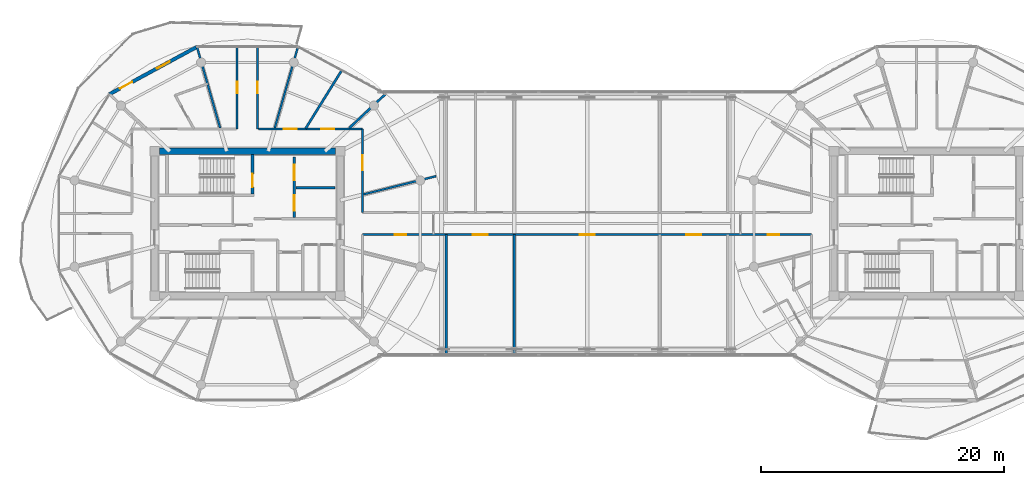
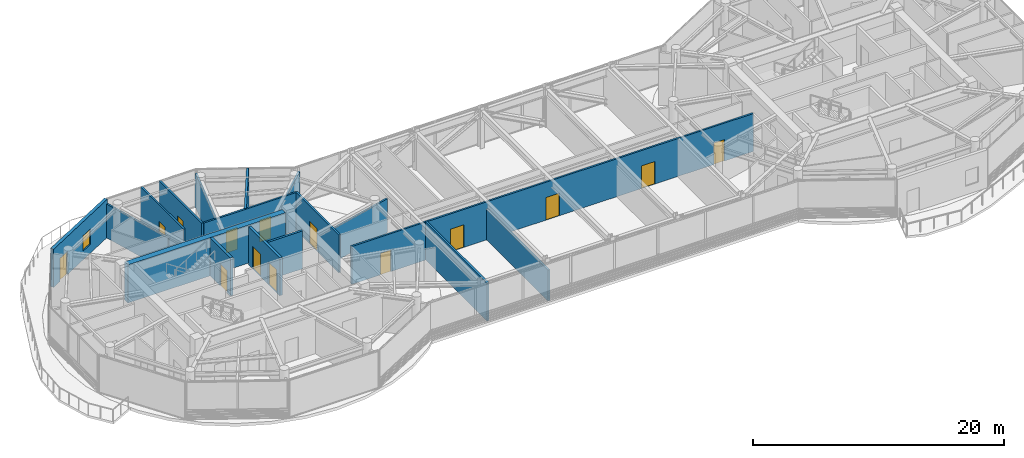
# One storey, part 15 of 24: 17 walls, 14 doors, 1 window, 15 openings.
"""IFC4 building model written with IfcOpenShell, lengths in metres."""

from ifc_helpers import new_model, si_unit, direction, frame, frame_2d, origin, place, context, subcontext, project, spatial, rectangle, extrude, source, transform, mapped, material, layer, layer_set, type_object, type_shapes, element, fill, save


model = new_model("IFC4")

# Units and contexts
model_context = context("Model", 3, precision=1e-05, world=origin(), true_north=direction((0.0, 1.0)))
body_context = subcontext(model_context, "Body", "Model", "MODEL_VIEW")
ifc_project = project(units=[si_unit("LENGTHUNIT", "METRE"), si_unit("AREAUNIT", "SQUARE_METRE"), si_unit("VOLUMEUNIT", "CUBIC_METRE"), si_unit("PLANEANGLEUNIT", "RADIAN"), si_unit("MASSUNIT", "GRAM", prefix="KILO")], contexts=[model_context])

# Site, building, storey
site_placement = place(None, origin())
site = spatial("IfcSite", under=ifc_project, at=site_placement, CompositionType="ELEMENT")
building_placement = place(site_placement, origin())
building = spatial("IfcBuilding", under=site, at=building_placement, Name="Norrkilde Senior Care Towers", CompositionType="ELEMENT")
storey_placement = place(building_placement, frame((0.0, 0.0, 203.800048828125)))
storey = spatial("IfcBuildingStorey", under=building, at=storey_placement, Name="L63", CompositionType="ELEMENT", Elevation=203.800048828125)

# Wall
ifc_material_1 = material(Name="Concrete C50/60", Category="concrete")
ifc_layer_1 = layer(ifc_material_1, 0.52001953125)
ifc_layer_set_1 = layer_set([ifc_layer_1], Name="Concrete C50/60")
wall_type_1 = type_object("IfcWallType", Name="Core Shear Wall Z4 520", PredefinedType="SHEAR", material=ifc_layer_set_1)
shared_shape_1 = source(origin(), body_context, "Body", "SweptSolid", [
    extrude(rectangle(XDim=14.5, YDim=0.52001953125, at=frame_2d((7.25, 0.0))), origin(), (0.0, 0.0, 1.0), 3.7099609375),
])
type_shapes(wall_type_1, [shared_shape_1])
wall_1_placement = place(storey_placement, frame((-35.25, 5.949951171875, 0.0), z_axis=(0.0, 0.0, 1.0), x_axis=(1.0, 0.0, 0.0)))
element("IfcWall", 1, at=wall_1_placement, inside=storey, type_object=wall_type_1, Name="L63 Core W North Shear Wall", PredefinedType="SHEAR", context=body_context, shape_type="MappedRepresentation", body=[
    mapped(shared_shape_1, transform((0.0, 0.0, 0.0), x_axis=(1.0, 0.0, 0.0), y_axis=(0.0, 1.0, 0.0), z_axis=(0.0, 0.0, 1.0), scale=1.0)),
])

# Wall, openings, door, window
ifc_material_2 = material(Name="Precast concrete C45/55", Category="concrete")
ifc_layer_2 = layer(ifc_material_2, 0.2900390625)
ifc_layer_set_2 = layer_set([ifc_layer_2], Name="Precast concrete C45/55")
wall_type_2 = type_object("IfcWallType", Name="Winter Garden Facade Wall 290", PredefinedType="SOLIDWALL", material=ifc_layer_set_2)
shared_shape_2 = source(origin(), body_context, "Body", "SweptSolid", [
    extrude(rectangle(XDim=8.197265625, YDim=0.2900390625, at=frame_2d((4.0986328125, 0.0))), origin(), (0.0, 0.0, 1.0), 3.7099609375),
])
type_shapes(wall_type_2, [shared_shape_2])
wall_2_placement = place(storey_placement, frame((-39.370361328125, 10.6630859375, 0.0), z_axis=(0.0, 0.0, 1.0), x_axis=(0.879369910001, 0.476139224791, 0.0)))
wall_2 = element("IfcWall", 2, at=wall_2_placement, inside=storey, type_object=wall_type_2, Name="L63 Drum W Balcony Access Wall 03", PredefinedType="SOLIDWALL", context=body_context, shape_type="MappedRepresentation", body=[
    mapped(shared_shape_2, transform((0.0, 0.0, 0.0), x_axis=(1.0, 0.0, 0.0), y_axis=(0.0, 1.0, 0.0), z_axis=(0.0, 0.0, 1.0), scale=1.0)),
])
opening_1_placement = place(wall_2_placement, frame((0.97998046875, 0.0, 0.0)))
opening_1 = element("IfcOpeningElement", 3, at=opening_1_placement, cuts=wall_2, Name="Opening D-09", PredefinedType="OPENING", context=body_context, shape_type="SweptSolid", body=[
    extrude(rectangle(XDim=1.14990234375, YDim=2.25, at=frame_2d((0.574951171875, 1.125))), frame((0.0, 0.155029296875, 0.0), z_axis=(0.0, -1.0, 0.0), x_axis=(1.0, 0.0, 0.0)), (0.0, 0.0, 1.0), 0.31005859375),
])
opening_2_placement = place(wall_2_placement, frame((4.448486328125, 0.0, 0.85009765625)))
opening_2 = element("IfcOpeningElement", 4, at=opening_2_placement, cuts=wall_2, Name="Opening WN-07", PredefinedType="OPENING", context=body_context, shape_type="SweptSolid", body=[
    extrude(rectangle(XDim=1.199951171875, YDim=1.5, at=frame_2d((0.60009765625, 0.75))), frame((0.0, 0.155029296875, 0.0), z_axis=(0.0, -1.0, 0.0), x_axis=(1.0, 0.0, 0.0)), (0.0, 0.0, 1.0), 0.31005859375),
])
ifc_material_3 = material(Name="Anodised Aluminium", Category="aluminium")
door_type_1 = type_object("IfcDoorType", Name="Terrace and Balcony Glazed Door 1150x2250", OperationType="NOTDEFINED", PredefinedType="DOOR", material=ifc_material_3)
shared_shape_3 = source(origin(), body_context, "Body", "SweptSolid", [
    extrude(rectangle(XDim=1.14990234375, YDim=2.25, at=frame_2d((0.574951171875, 1.125))), frame((0.0, 0.02490234375, 0.0), z_axis=(0.0, -1.0, 0.0), x_axis=(1.0, 0.0, 0.0)), (0.0, 0.0, 1.0), 0.050048828125),
])
type_shapes(door_type_1, [shared_shape_3])
door_1_placement = place(opening_1_placement, origin())
door_1 = element("IfcDoor", 5, at=door_1_placement, inside=storey, type_object=door_type_1, Name="L63 Drum W Outdoor Terrace Door 03", OperationType="SINGLE_SWING_RIGHT", OverallHeight=2.25, OverallWidth=1.14990234375, PredefinedType="DOOR", context=body_context, shape_type="MappedRepresentation", body=[
    mapped(shared_shape_3, transform((0.0, 0.0, 0.0), x_axis=(1.0, 0.0, 0.0), y_axis=(0.0, 1.0, 0.0), z_axis=(0.0, 0.0, 1.0), scale=1.0)),
])
fill(opening_1, door_1)
ifc_material_4 = material(Name="Triple Low-E Insulated Glazing", Category="glass")
window_type = type_object("IfcWindowType", Name="Stairwell Smoke Vent Window 1200x1500", PartitioningType="SINGLE_PANEL", PredefinedType="WINDOW", material=ifc_material_4)
shared_shape_4 = source(origin(), body_context, "Body", "SweptSolid", [
    extrude(rectangle(XDim=1.199951171875, YDim=1.5, at=frame_2d((0.60009765625, 0.75))), frame((0.0, 0.030029296875, 0.0), z_axis=(0.0, -1.0, 0.0), x_axis=(1.0, 0.0, 0.0)), (0.0, 0.0, 1.0), 0.06005859375),
])
type_shapes(window_type, [shared_shape_4])
window_placement = place(opening_2_placement, origin())
window = element("IfcWindow", 6, at=window_placement, inside=storey, type_object=window_type, Name="L63 Drum W Winter Garden Window 03", OverallHeight=1.5, OverallWidth=1.199951171875, PartitioningType="SINGLE_PANEL", PredefinedType="WINDOW", context=body_context, shape_type="MappedRepresentation", body=[
    mapped(shared_shape_4, transform((0.0, 0.0, 0.0), x_axis=(1.0, 0.0, 0.0), y_axis=(0.0, 1.0, 0.0), z_axis=(0.0, 0.0, 1.0), scale=1.0)),
])
fill(opening_2, window)

# Wall, opening, door
ifc_material_5 = material(Name="Concrete C45/55", Category="concrete")
ifc_layer_3 = layer(ifc_material_5, 0.239990234375)
ifc_layer_set_3 = layer_set([ifc_layer_3], Name="Concrete C45/55")
wall_type_3 = type_object("IfcWallType", Name="Shaft and Stair Enclosure Wall 240", PredefinedType="PARTITIONING", material=ifc_layer_set_3)
shared_shape_5 = source(origin(), body_context, "Body", "SweptSolid", [
    extrude(rectangle(XDim=3.239990234375, YDim=0.239990234375, at=frame_2d((1.6201171875, 0.0))), origin(), (0.0, 0.0, 1.0), 3.7099609375),
])
type_shapes(wall_type_3, [shared_shape_5])
wall_3_placement = place(storey_placement, frame((-27.580078125, 2.449951171875, 0.0), z_axis=(0.0, 0.0, 1.0), x_axis=(0.0, 1.0, 0.0)))
wall_3 = element("IfcWall", 7, at=wall_3_placement, inside=storey, type_object=wall_type_3, Name="WL-INT-L63-W-ST1E", PredefinedType="PARTITIONING", context=body_context, shape_type="MappedRepresentation", body=[
    mapped(shared_shape_5, transform((0.0, 0.0, 0.0), x_axis=(1.0, 0.0, 0.0), y_axis=(0.0, 1.0, 0.0), z_axis=(0.0, 0.0, 1.0), scale=1.0)),
])
opening_3_placement = place(wall_3_placement, frame((0.550048828125, 0.0, 0.0)))
opening_3 = element("IfcOpeningElement", 8, at=opening_3_placement, cuts=wall_3, Name="Opening D-03", PredefinedType="OPENING", context=body_context, shape_type="SweptSolid", body=[
    extrude(rectangle(XDim=1.10009765625, YDim=2.14990234375, at=frame_2d((0.550048828125, 1.074951171875))), frame((0.0, 0.1298828125, 0.0), z_axis=(0.0, -1.0, 0.0), x_axis=(1.0, 0.0, 0.0)), (0.0, 0.0, 1.0), 0.260009765625),
])
ifc_material_6 = material(Name="Galvanised Painted Steel", Category="steel")
door_type_2 = type_object("IfcDoorType", Name="Stairwell Protected Fire Door 1100x2150", OperationType="NOTDEFINED", PredefinedType="DOOR", material=ifc_material_6)
shared_shape_6 = source(origin(), body_context, "Body", "SweptSolid", [
    extrude(rectangle(XDim=1.10009765625, YDim=2.14990234375, at=frame_2d((0.550048828125, 1.074951171875))), frame((0.0, 0.02490234375, 0.0), z_axis=(0.0, -1.0, 0.0), x_axis=(1.0, 0.0, 0.0)), (0.0, 0.0, 1.0), 0.050048828125),
])
type_shapes(door_type_2, [shared_shape_6])
door_2_placement = place(opening_3_placement, origin())
door_2 = element("IfcDoor", 9, at=door_2_placement, inside=storey, type_object=door_type_2, Name="L63 Stair W1 Fire Door", OperationType="SINGLE_SWING_LEFT", OverallHeight=2.14990234375, OverallWidth=1.10009765625, PredefinedType="DOOR", context=body_context, shape_type="MappedRepresentation", body=[
    mapped(shared_shape_6, transform((0.0, 0.0, 0.0), x_axis=(1.0, 0.0, 0.0), y_axis=(0.0, 1.0, 0.0), z_axis=(0.0, 0.0, 1.0), scale=1.0)),
])
fill(opening_3, door_2)

# Wall, openings, doors
ifc_layer_4 = layer(ifc_material_5, 0.239990234375)
ifc_layer_set_4 = layer_set([ifc_layer_4], Name="Concrete C45/55")
wall_type_4 = type_object("IfcWallType", Name="Lift and Plant Rated Enclosure Partition 240", PredefinedType="PARTITIONING", material=ifc_layer_set_4)
shared_shape_7 = source(origin(), body_context, "Body", "SweptSolid", [
    extrude(rectangle(XDim=5.0, YDim=0.239990234375, at=frame_2d((2.5, 0.0))), origin(), (0.0, 0.0, 1.0), 3.695068359375),
])
type_shapes(wall_type_4, [shared_shape_7])
wall_4_placement = place(storey_placement, frame((-24.139892578125, 0.5, 0.0), z_axis=(0.0, 0.0, 1.0), x_axis=(0.0, 1.0, 0.0)))
wall_4 = element("IfcWall", 10, at=wall_4_placement, inside=storey, type_object=wall_type_4, Name="WL-INT-L63-W-FFLE", PredefinedType="PARTITIONING", context=body_context, shape_type="MappedRepresentation", body=[
    mapped(shared_shape_7, transform((0.0, 0.0, 0.0), x_axis=(1.0, 0.0, 0.0), y_axis=(0.0, 1.0, 0.0), z_axis=(0.0, 0.0, 1.0), scale=1.0)),
])
opening_4_placement = place(wall_4_placement, frame((3.050048828125, 0.0, 0.0)))
opening_4 = element("IfcOpeningElement", 11, at=opening_4_placement, cuts=wall_4, Name="Opening LD-02", PredefinedType="OPENING", context=body_context, shape_type="SweptSolid", body=[
    extrude(rectangle(XDim=1.300048828125, YDim=2.199951171875, at=frame_2d((0.64990234375, 1.10009765625))), frame((0.0, 0.1298828125, 0.0), z_axis=(0.0, -1.0, 0.0), x_axis=(1.0, 0.0, 0.0)), (0.0, 0.0, 1.0), 0.260009765625),
])
opening_5_placement = place(wall_4_placement, frame((0.550048828125, 0.0, 0.0)))
opening_5 = element("IfcOpeningElement", 12, at=opening_5_placement, cuts=wall_4, Name="Opening LD-02", PredefinedType="OPENING", context=body_context, shape_type="SweptSolid", body=[
    extrude(rectangle(XDim=1.300048828125, YDim=2.199951171875, at=frame_2d((0.64990234375, 1.10009765625))), frame((0.0, 0.1298828125, 0.0), z_axis=(0.0, -1.0, 0.0), x_axis=(1.0, 0.0, 0.0)), (0.0, 0.0, 1.0), 0.260009765625),
])
ifc_material_7 = material(Name="Stainless Steel", Category="steel")
door_type_3 = type_object("IfcDoorType", Name="Stretcher and FFL Landing Sliding Door 1300x2200", OperationType="NOTDEFINED", PredefinedType="DOOR", material=ifc_material_7)
shared_shape_8 = source(origin(), body_context, "Body", "SweptSolid", [
    extrude(rectangle(XDim=1.300048828125, YDim=2.199951171875, at=frame_2d((0.64990234375, 1.10009765625))), frame((0.0, 0.02490234375, 0.0), z_axis=(0.0, -1.0, 0.0), x_axis=(1.0, 0.0, 0.0)), (0.0, 0.0, 1.0), 0.050048828125),
])
type_shapes(door_type_3, [shared_shape_8])
door_3_placement = place(opening_4_placement, origin())
door_3 = element("IfcDoor", 13, at=door_3_placement, inside=storey, type_object=door_type_3, Name="L63 Firefighting Lift W1 Landing Door", OperationType="SLIDING_TO_LEFT", OverallHeight=2.199951171875, OverallWidth=1.300048828125, PredefinedType="DOOR", context=body_context, shape_type="MappedRepresentation", body=[
    mapped(shared_shape_8, transform((0.0, 0.0, 0.0), x_axis=(1.0, 0.0, 0.0), y_axis=(0.0, 1.0, 0.0), z_axis=(0.0, 0.0, 1.0), scale=1.0)),
])
fill(opening_4, door_3)
door_4_placement = place(opening_5_placement, origin())
door_4 = element("IfcDoor", 14, at=door_4_placement, inside=storey, type_object=door_type_3, Name="L63 Stretcher Lift W1 Landing Door", OperationType="SLIDING_TO_RIGHT", OverallHeight=2.199951171875, OverallWidth=1.300048828125, PredefinedType="DOOR", context=body_context, shape_type="MappedRepresentation", body=[
    mapped(shared_shape_8, transform((0.0, 0.0, 0.0), x_axis=(1.0, 0.0, 0.0), y_axis=(0.0, 1.0, 0.0), z_axis=(0.0, 0.0, 1.0), scale=1.0)),
])
fill(opening_5, door_4)

# Wall
ifc_layer_5 = layer(ifc_material_5, 0.199951171875)
ifc_layer_set_5 = layer_set([ifc_layer_5], Name="Concrete C45/55")
wall_type_5 = type_object("IfcWallType", Name="Shaft Division and Plant Partition 200", PredefinedType="PARTITIONING", material=ifc_layer_set_5)
shared_shape_9 = source(origin(), body_context, "Body", "SweptSolid", [
    extrude(rectangle(XDim=3.199951171875, YDim=0.199951171875, at=frame_2d((1.60009765625, 0.0))), origin(), (0.0, 0.0, 1.0), 3.695068359375),
])
type_shapes(wall_type_5, [shared_shape_9])
wall_5_placement = place(storey_placement, frame((-24.0, 2.949951171875, 0.0), z_axis=(0.0, 0.0, 1.0), x_axis=(1.0, 0.0, 0.0)))
element("IfcWall", 15, at=wall_5_placement, inside=storey, type_object=wall_type_5, Name="WL-INT-L63-W-FFLDIV", PredefinedType="PARTITIONING", context=body_context, shape_type="MappedRepresentation", body=[
    mapped(shared_shape_9, transform((0.0, 0.0, 0.0), x_axis=(1.0, 0.0, 0.0), y_axis=(0.0, 1.0, 0.0), z_axis=(0.0, 0.0, 1.0), scale=1.0)),
])

# Wall, openings, doors
ifc_material_8 = material(Name="Gypsum Acoustic Board")
ifc_layer_6 = layer(ifc_material_8, 0.1650390625)
ifc_layer_set_6 = layer_set([ifc_layer_6], Name="Gypsum Acoustic Board")
wall_type_6 = type_object("IfcWallType", Name="Corridor Rated Partition 165", PredefinedType="PARTITIONING", material=ifc_layer_set_6)
shared_shape_10 = source(origin(), body_context, "Body", "SweptSolid", [
    extrude(rectangle(XDim=8.580078125, YDim=0.1650390625, at=frame_2d((4.2900390625, 0.0))), origin(), (0.0, 0.0, 1.0), 3.695068359375),
])
wall_6_placement = place(storey_placement, frame((-27.080078125, 7.800048828125, 0.0), z_axis=(0.0, 0.0, 1.0), x_axis=(1.0, 0.0, 0.0)))
wall_6 = element("IfcWall", 16, at=wall_6_placement, inside=storey, type_object=wall_type_6, Name="WL-INT-L63-W-CRW-N-1", PredefinedType="PARTITIONING", context=body_context, shape_type="MappedRepresentation", body=[
    mapped(shared_shape_10, transform((0.0, 0.0, 0.0), x_axis=(1.0, 0.0, 0.0), y_axis=(0.0, 1.0, 0.0), z_axis=(0.0, 0.0, 1.0), scale=1.0)),
])
opening_6_placement = place(wall_6_placement, frame((5.166259765625, 0.0, 0.0)))
opening_6 = element("IfcOpeningElement", 17, at=opening_6_placement, cuts=wall_6, Name="Opening D-06", PredefinedType="OPENING", context=body_context, shape_type="SweptSolid", body=[
    extrude(rectangle(XDim=1.050048828125, YDim=2.14990234375, at=frame_2d((0.52490234375, 1.074951171875))), frame((0.0, 0.092529296875, 0.0), z_axis=(0.0, -1.0, 0.0), x_axis=(1.0, 0.0, 0.0)), (0.0, 0.0, 1.0), 0.18505859375),
])
opening_7_placement = place(wall_6_placement, frame((2.076416015625, 0.0, 0.0)))
opening_7 = element("IfcOpeningElement", 18, at=opening_7_placement, cuts=wall_6, Name="Opening D-06", PredefinedType="OPENING", context=body_context, shape_type="SweptSolid", body=[
    extrude(rectangle(XDim=1.050048828125, YDim=2.14990234375, at=frame_2d((0.52490234375, 1.074951171875))), frame((0.0, 0.092529296875, 0.0), z_axis=(0.0, -1.0, 0.0), x_axis=(1.0, 0.0, 0.0)), (0.0, 0.0, 1.0), 0.18505859375),
])
ifc_material_9 = material(Name="Nordic Ash Timber", Category="wood")
door_type_4 = type_object("IfcDoorType", Name="Apartment Entrance Fire Door 1050x2150", OperationType="NOTDEFINED", PredefinedType="DOOR", material=ifc_material_9)
shared_shape_11 = source(origin(), body_context, "Body", "SweptSolid", [
    extrude(rectangle(XDim=1.050048828125, YDim=2.14990234375, at=frame_2d((0.52490234375, 1.074951171875))), frame((0.0, 0.02490234375, 0.0), z_axis=(0.0, -1.0, 0.0), x_axis=(1.0, 0.0, 0.0)), (0.0, 0.0, 1.0), 0.050048828125),
])
type_shapes(door_type_4, [shared_shape_11])
door_5_placement = place(opening_6_placement, frame((1.050048828125, 0.0, 0.0), z_axis=(0.0, 0.0, 1.0), x_axis=(-1.0, 0.0, 0.0)))
door_5 = element("IfcDoor", 19, at=door_5_placement, inside=storey, type_object=door_type_4, Name="L63 Physiotherapy Clinic 1A Door", OperationType="SINGLE_SWING_RIGHT", OverallHeight=2.14990234375, OverallWidth=1.050048828125, PredefinedType="DOOR", context=body_context, shape_type="MappedRepresentation", body=[
    mapped(shared_shape_11, transform((0.0, 0.0, 0.0), x_axis=(1.0, 0.0, 0.0), y_axis=(0.0, 1.0, 0.0), z_axis=(0.0, 0.0, 1.0), scale=1.0)),
])
fill(opening_6, door_5)
door_6_placement = place(opening_7_placement, frame((1.050048828125, 0.0, 0.0), z_axis=(0.0, 0.0, 1.0), x_axis=(-1.0, 0.0, 0.0)))
door_6 = element("IfcDoor", 20, at=door_6_placement, inside=storey, type_object=door_type_4, Name="L63 Assessment Clinic 1B Door", OperationType="SINGLE_SWING_LEFT", OverallHeight=2.14990234375, OverallWidth=1.050048828125, PredefinedType="DOOR", context=body_context, shape_type="MappedRepresentation", body=[
    mapped(shared_shape_11, transform((0.0, 0.0, 0.0), x_axis=(1.0, 0.0, 0.0), y_axis=(0.0, 1.0, 0.0), z_axis=(0.0, 0.0, 1.0), scale=1.0)),
])
fill(opening_7, door_6)

# Wall, opening, door
shared_shape_12 = source(origin(), body_context, "Body", "SweptSolid", [
    extrude(rectangle(XDim=6.880126953125, YDim=0.1650390625, at=frame_2d((3.43994140625, 0.0))), origin(), (0.0, 0.0, 1.0), 3.695068359375),
])
wall_7_placement = place(storey_placement, frame((-18.5, 7.800048828125, 0.0), z_axis=(0.0, 0.0, 1.0), x_axis=(0.0, -1.0, 0.0)))
wall_7 = element("IfcWall", 21, at=wall_7_placement, inside=storey, type_object=wall_type_6, Name="WL-INT-L63-W-CRW-E-0", PredefinedType="PARTITIONING", context=body_context, shape_type="MappedRepresentation", body=[
    mapped(shared_shape_12, transform((0.0, 0.0, 0.0), x_axis=(1.0, 0.0, 0.0), y_axis=(0.0, 1.0, 0.0), z_axis=(0.0, 0.0, 1.0), scale=1.0)),
])
opening_8_placement = place(wall_7_placement, frame((2.165771484375, 0.0, 0.0)))
opening_8 = element("IfcOpeningElement", 22, at=opening_8_placement, cuts=wall_7, Name="Opening D-05", PredefinedType="OPENING", context=body_context, shape_type="SweptSolid", body=[
    extrude(rectangle(XDim=1.25, YDim=2.199951171875, at=frame_2d((0.625, 1.10009765625))), frame((0.0, 0.092529296875, 0.0), z_axis=(0.0, -1.0, 0.0), x_axis=(1.0, 0.0, 0.0)), (0.0, 0.0, 1.0), 0.18505859375),
])
door_type_5 = type_object("IfcDoorType", Name="Care Bedroom Bariatric Door 1250x2200", OperationType="NOTDEFINED", PredefinedType="DOOR", material=ifc_material_9)
shared_shape_13 = source(origin(), body_context, "Body", "SweptSolid", [
    extrude(rectangle(XDim=1.25, YDim=2.199951171875, at=frame_2d((0.625, 1.10009765625))), frame((0.0, 0.02490234375, 0.0), z_axis=(0.0, -1.0, 0.0), x_axis=(1.0, 0.0, 0.0)), (0.0, 0.0, 1.0), 0.050048828125),
])
type_shapes(door_type_5, [shared_shape_13])
door_7_placement = place(opening_8_placement, frame((1.25, 0.0, 0.0), z_axis=(0.0, 0.0, 1.0), x_axis=(-1.0, 0.0, 0.0)))
door_7 = element("IfcDoor", 23, at=door_7_placement, inside=storey, type_object=door_type_5, Name="L63 Resident Therapeutic Day Lounge Door", OperationType="SINGLE_SWING_LEFT", OverallHeight=2.199951171875, OverallWidth=1.25, PredefinedType="DOOR", context=body_context, shape_type="MappedRepresentation", body=[
    mapped(shared_shape_13, transform((0.0, 0.0, 0.0), x_axis=(1.0, 0.0, 0.0), y_axis=(0.0, 1.0, 0.0), z_axis=(0.0, 0.0, 1.0), scale=1.0)),
])
fill(opening_8, door_7)

# Walls
shared_shape_14 = source(origin(), body_context, "Body", "SweptSolid", [
    extrude(rectangle(XDim=6.973876953125, YDim=0.1650390625, at=frame_2d((3.48681640625, 0.0))), origin(), (0.0, 0.0, 1.0), 3.294921875),
])
for number, where, z_axis, x_axis, name in (
    (24, (-25.748779296875, 7.8798828125, 0.0), (0.0, 0.0, 1.0), (0.274707256801, 0.961527910703, 0.0), "WL-INT-L63-W-DEM-02-0"),
    (25, (-30.251220703125, 7.8798828125, 0.0), (0.0, 0.0, 1.0), (-0.274707256801, 0.961527910703, 0.0), "WL-INT-L63-W-DEM-03-0"),
):
    element("IfcWall", number, at=place(storey_placement, frame(where, z_axis=z_axis, x_axis=x_axis)), inside=storey, type_object=wall_type_6, Name=name, PredefinedType="PARTITIONING", context=body_context, shape_type="MappedRepresentation", body=[
        mapped(shared_shape_14, transform((0.0, 0.0, 0.0), x_axis=(1.0, 0.0, 0.0), y_axis=(0.0, 1.0, 0.0), z_axis=(0.0, 0.0, 1.0), scale=1.0)),
    ])
shared_shape_15 = source(origin(), body_context, "Body", "SweptSolid", [
    extrude(rectangle(XDim=6.1572265625, YDim=0.1650390625, at=frame_2d((3.07861328125, 0.0))), origin(), (0.0, 0.0, 1.0), 3.294921875),
])
wall_8_placement = place(storey_placement, frame((-18.419921875, 2.407470703125, 0.0), z_axis=(0.0, 0.0, 1.0), x_axis=(0.969840867184, 0.243738984038, 0.0)))
element("IfcWall", 26, at=wall_8_placement, inside=storey, type_object=wall_type_6, Name="WL-INT-L63-W-DEM-00-0", PredefinedType="PARTITIONING", context=body_context, shape_type="MappedRepresentation", body=[
    mapped(shared_shape_15, transform((0.0, 0.0, 0.0), x_axis=(1.0, 0.0, 0.0), y_axis=(0.0, 1.0, 0.0), z_axis=(0.0, 0.0, 1.0), scale=1.0)),
])

# Wall, opening, door
shared_shape_16 = source(origin(), body_context, "Body", "SweptSolid", [
    extrude(rectangle(XDim=6.83544921875, YDim=0.1650390625, at=frame_2d((3.417724609375, 0.0))), origin(), (0.0, 0.0, 1.0), 3.695068359375),
])
wall_9_placement = place(storey_placement, frame((-28.840087890625, 7.800048828125, 0.0), z_axis=(0.0, 0.0, 1.0), x_axis=(0.0, 1.0, 0.0)))
wall_9 = element("IfcWall", 27, at=wall_9_placement, inside=storey, type_object=wall_type_6, Name="WL-INT-L63-W-SPK-N1-0", PredefinedType="PARTITIONING", context=body_context, shape_type="MappedRepresentation", body=[
    mapped(shared_shape_16, transform((0.0, 0.0, 0.0), x_axis=(1.0, 0.0, 0.0), y_axis=(0.0, 1.0, 0.0), z_axis=(0.0, 0.0, 1.0), scale=1.0)),
])
opening_9_placement = place(wall_9_placement, frame((2.942626953125, 0.0, 0.0)))
opening_9 = element("IfcOpeningElement", 28, at=opening_9_placement, cuts=wall_9, Name="Opening D-07", PredefinedType="OPENING", context=body_context, shape_type="SweptSolid", body=[
    extrude(rectangle(XDim=0.949951171875, YDim=2.10009765625, at=frame_2d((0.47509765625, 1.050048828125))), frame((0.0, 0.092529296875, 0.0), z_axis=(0.0, -1.0, 0.0), x_axis=(1.0, 0.0, 0.0)), (0.0, 0.0, 1.0), 0.18505859375),
])
door_type_6 = type_object("IfcDoorType", Name="Internal Suite Bedroom Door 950x2100", OperationType="NOTDEFINED", PredefinedType="DOOR", material=ifc_material_9)
shared_shape_17 = source(origin(), body_context, "Body", "SweptSolid", [
    extrude(rectangle(XDim=0.949951171875, YDim=2.10009765625, at=frame_2d((0.47509765625, 1.050048828125))), frame((0.0, 0.02490234375, 0.0), z_axis=(0.0, -1.0, 0.0), x_axis=(1.0, 0.0, 0.0)), (0.0, 0.0, 1.0), 0.050048828125),
])
type_shapes(door_type_6, [shared_shape_17])
door_8_placement = place(opening_9_placement, frame((0.949951171875, 0.0, 0.0), z_axis=(0.0, 0.0, 1.0), x_axis=(-1.0, 0.0, 0.0)))
door_8 = element("IfcDoor", 29, at=door_8_placement, inside=storey, type_object=door_type_6, Name="L63 Sun Reading Lounge 3 Door", OperationType="SINGLE_SWING_RIGHT", OverallHeight=2.10009765625, OverallWidth=0.949951171875, PredefinedType="DOOR", context=body_context, shape_type="MappedRepresentation", body=[
    mapped(shared_shape_17, transform((0.0, 0.0, 0.0), x_axis=(1.0, 0.0, 0.0), y_axis=(0.0, 1.0, 0.0), z_axis=(0.0, 0.0, 1.0), scale=1.0)),
])
fill(opening_9, door_8)

wall_10_placement = place(storey_placement, frame((-27.159912109375, 14.635498046875, 0.0), z_axis=(0.0, 0.0, 1.0), x_axis=(0.0, -1.0, 0.0)))
wall_10 = element("IfcWall", 30, at=wall_10_placement, inside=storey, type_object=wall_type_6, Name="WL-INT-L63-W-SPK-N2-0", PredefinedType="PARTITIONING", context=body_context, shape_type="MappedRepresentation", body=[
    mapped(shared_shape_16, transform((0.0, 0.0, 0.0), x_axis=(1.0, 0.0, 0.0), y_axis=(0.0, 1.0, 0.0), z_axis=(0.0, 0.0, 1.0), scale=1.0)),
])
opening_10_placement = place(wall_10_placement, frame((2.942626953125, 0.0, 0.0)))
opening_10 = element("IfcOpeningElement", 31, at=opening_10_placement, cuts=wall_10, Name="Opening D-07", PredefinedType="OPENING", context=body_context, shape_type="SweptSolid", body=[
    extrude(rectangle(XDim=0.949951171875, YDim=2.10009765625, at=frame_2d((0.47509765625, 1.050048828125))), frame((0.0, 0.092529296875, 0.0), z_axis=(0.0, -1.0, 0.0), x_axis=(1.0, 0.0, 0.0)), (0.0, 0.0, 1.0), 0.18505859375),
])
door_9_placement = place(opening_10_placement, frame((0.949951171875, 0.0, 0.0), z_axis=(0.0, 0.0, 1.0), x_axis=(-1.0, 0.0, 0.0)))
door_9 = element("IfcDoor", 32, at=door_9_placement, inside=storey, type_object=door_type_6, Name="L63 Sun Reading Lounge 4 Door", OperationType="SINGLE_SWING_LEFT", OverallHeight=2.10009765625, OverallWidth=0.949951171875, PredefinedType="DOOR", context=body_context, shape_type="MappedRepresentation", body=[
    mapped(shared_shape_17, transform((0.0, 0.0, 0.0), x_axis=(1.0, 0.0, 0.0), y_axis=(0.0, 1.0, 0.0), z_axis=(0.0, 0.0, 1.0), scale=1.0)),
])
fill(opening_10, door_9)

# Walls
ifc_layer_7 = layer(ifc_material_8, 0.18994140625)
ifc_layer_set_7 = layer_set([ifc_layer_7], Name="Gypsum Acoustic Board")
wall_type_7 = type_object("IfcWallType", Name="Unit Demising Acoustic Wall 190", PredefinedType="PARTITIONING", material=ifc_layer_set_7)
shared_shape_18 = source(origin(), body_context, "Body", "SweptSolid", [
    extrude(rectangle(XDim=4.089111328125, YDim=0.18994140625, at=frame_2d((2.04443359375, 0.0))), origin(), (0.0, 0.0, 1.0), 3.294921875),
])
wall_11_placement = place(storey_placement, frame((-19.59814453125, 7.8798828125, 0.0), z_axis=(0.0, 0.0, 1.0), x_axis=(0.729401273609, 0.684086092577, 0.0)))
element("IfcWall", 33, at=wall_11_placement, inside=storey, type_object=wall_type_7, Name="WL-INT-L63-W-DEM-01-0", PredefinedType="PARTITIONING", context=body_context, shape_type="MappedRepresentation", body=[
    mapped(shared_shape_18, transform((0.0, 0.0, 0.0), x_axis=(1.0, 0.0, 0.0), y_axis=(0.0, 1.0, 0.0), z_axis=(0.0, 0.0, 1.0), scale=1.0)),
])
shared_shape_19 = source(origin(), body_context, "Body", "SweptSolid", [
    extrude(rectangle(XDim=5.65185546875, YDim=0.18994140625, at=frame_2d((2.825927734375, 0.0))), origin(), (0.0, 0.0, 1.0), 3.695068359375),
])
wall_12_placement = place(storey_placement, frame((-23.2060546875, 7.830078125, 0.0), z_axis=(0.0, 0.0, 1.0), x_axis=(0.527566076956, 0.84951399897, 0.0)))
element("IfcWall", 34, at=wall_12_placement, inside=storey, type_object=wall_type_7, Name="WL-INT-L63-W-MID-01", PredefinedType="PARTITIONING", context=body_context, shape_type="MappedRepresentation", body=[
    mapped(shared_shape_19, transform((0.0, 0.0, 0.0), x_axis=(1.0, 0.0, 0.0), y_axis=(0.0, 1.0, 0.0), z_axis=(0.0, 0.0, 1.0), scale=1.0)),
])

# Wall, openings, doors
shared_shape_20 = source(origin(), body_context, "Body", "SweptSolid", [
    extrude(rectangle(XDim=37.0, YDim=0.1650390625, at=frame_2d((18.5, 0.0))), origin(), (0.0, 0.0, 1.0), 3.695068359375),
])
type_shapes(wall_type_6, [shared_shape_10, shared_shape_12, shared_shape_14, shared_shape_15, shared_shape_16, shared_shape_20])
wall_13_placement = place(storey_placement, frame((-18.5, -0.919921875, 0.0), z_axis=(0.0, 0.0, 1.0), x_axis=(1.0, 0.0, 0.0)))
wall_13 = element("IfcWall", 35, at=wall_13_placement, inside=storey, type_object=wall_type_6, Name="WL-INT-L63-BR-CS", PredefinedType="PARTITIONING", context=body_context, shape_type="MappedRepresentation", body=[
    mapped(shared_shape_20, transform((0.0, 0.0, 0.0), x_axis=(1.0, 0.0, 0.0), y_axis=(0.0, 1.0, 0.0), z_axis=(0.0, 0.0, 1.0), scale=1.0)),
])
opening_11_placement = place(wall_13_placement, frame((2.66162109375, 0.0, 0.0)))
opening_11 = element("IfcOpeningElement", 36, at=opening_11_placement, cuts=wall_13, Name="Opening D-07", PredefinedType="OPENING", context=body_context, shape_type="SweptSolid", body=[
    extrude(rectangle(XDim=0.949951171875, YDim=2.10009765625, at=frame_2d((0.47509765625, 1.050048828125))), frame((0.0, 0.092529296875, 0.0), z_axis=(0.0, -1.0, 0.0), x_axis=(1.0, 0.0, 0.0)), (0.0, 0.0, 1.0), 0.18505859375),
])
opening_12_placement = place(wall_13_placement, frame((33.38818359375, 0.0, 0.0)))
opening_12 = element("IfcOpeningElement", 37, at=opening_12_placement, cuts=wall_13, Name="Opening D-07", PredefinedType="OPENING", context=body_context, shape_type="SweptSolid", body=[
    extrude(rectangle(XDim=0.949951171875, YDim=2.10009765625, at=frame_2d((0.47509765625, 1.050048828125))), frame((0.0, 0.092529296875, 0.0), z_axis=(0.0, -1.0, 0.0), x_axis=(1.0, 0.0, 0.0)), (0.0, 0.0, 1.0), 0.18505859375),
])
opening_13_placement = place(wall_13_placement, frame((9.074951171875, 0.0, 0.0)))
opening_13 = element("IfcOpeningElement", 38, at=opening_13_placement, cuts=wall_13, Name="Opening D-05", PredefinedType="OPENING", context=body_context, shape_type="SweptSolid", body=[
    extrude(rectangle(XDim=1.25, YDim=2.199951171875, at=frame_2d((0.625, 1.10009765625))), frame((0.0, 0.092529296875, 0.0), z_axis=(0.0, -1.0, 0.0), x_axis=(1.0, 0.0, 0.0)), (0.0, 0.0, 1.0), 0.18505859375),
])
opening_14_placement = place(wall_13_placement, frame((17.875, 0.0, 0.0)))
opening_14 = element("IfcOpeningElement", 39, at=opening_14_placement, cuts=wall_13, Name="Opening D-05", PredefinedType="OPENING", context=body_context, shape_type="SweptSolid", body=[
    extrude(rectangle(XDim=1.25, YDim=2.199951171875, at=frame_2d((0.625, 1.10009765625))), frame((0.0, 0.092529296875, 0.0), z_axis=(0.0, -1.0, 0.0), x_axis=(1.0, 0.0, 0.0)), (0.0, 0.0, 1.0), 0.18505859375),
])
opening_15_placement = place(wall_13_placement, frame((26.675048828125, 0.0, 0.0)))
opening_15 = element("IfcOpeningElement", 40, at=opening_15_placement, cuts=wall_13, Name="Opening D-05", PredefinedType="OPENING", context=body_context, shape_type="SweptSolid", body=[
    extrude(rectangle(XDim=1.25, YDim=2.199951171875, at=frame_2d((0.625, 1.10009765625))), frame((0.0, 0.092529296875, 0.0), z_axis=(0.0, -1.0, 0.0), x_axis=(1.0, 0.0, 0.0)), (0.0, 0.0, 1.0), 0.18505859375),
])
door_10_placement = place(opening_13_placement, origin())
door_10 = element("IfcDoor", 41, at=door_10_placement, inside=storey, type_object=door_type_5, Name="L63 Bridge South Room 1 Door", OperationType="SINGLE_SWING_LEFT", OverallHeight=2.199951171875, OverallWidth=1.25, PredefinedType="DOOR", context=body_context, shape_type="MappedRepresentation", body=[
    mapped(shared_shape_13, transform((0.0, 0.0, 0.0), x_axis=(1.0, 0.0, 0.0), y_axis=(0.0, 1.0, 0.0), z_axis=(0.0, 0.0, 1.0), scale=1.0)),
])
fill(opening_13, door_10)
door_11_placement = place(opening_14_placement, origin())
door_11 = element("IfcDoor", 42, at=door_11_placement, inside=storey, type_object=door_type_5, Name="L63 Bridge South Room 2 Door", OperationType="SINGLE_SWING_RIGHT", OverallHeight=2.199951171875, OverallWidth=1.25, PredefinedType="DOOR", context=body_context, shape_type="MappedRepresentation", body=[
    mapped(shared_shape_13, transform((0.0, 0.0, 0.0), x_axis=(1.0, 0.0, 0.0), y_axis=(0.0, 1.0, 0.0), z_axis=(0.0, 0.0, 1.0), scale=1.0)),
])
fill(opening_14, door_11)
door_12_placement = place(opening_15_placement, origin())
door_12 = element("IfcDoor", 43, at=door_12_placement, inside=storey, type_object=door_type_5, Name="L63 Bridge South Room 3 Door", OperationType="SINGLE_SWING_LEFT", OverallHeight=2.199951171875, OverallWidth=1.25, PredefinedType="DOOR", context=body_context, shape_type="MappedRepresentation", body=[
    mapped(shared_shape_13, transform((0.0, 0.0, 0.0), x_axis=(1.0, 0.0, 0.0), y_axis=(0.0, 1.0, 0.0), z_axis=(0.0, 0.0, 1.0), scale=1.0)),
])
fill(opening_15, door_12)
door_13_placement = place(opening_11_placement, frame((0.949951171875, 0.0, 0.0), z_axis=(0.0, 0.0, 1.0), x_axis=(-1.0, 0.0, 0.0)))
door_13 = element("IfcDoor", 44, at=door_13_placement, inside=storey, type_object=door_type_6, Name="L63 Sun Reading Lounge 5 Door", OperationType="SINGLE_SWING_RIGHT", OverallHeight=2.10009765625, OverallWidth=0.949951171875, PredefinedType="DOOR", context=body_context, shape_type="MappedRepresentation", body=[
    mapped(shared_shape_17, transform((0.0, 0.0, 0.0), x_axis=(1.0, 0.0, 0.0), y_axis=(0.0, 1.0, 0.0), z_axis=(0.0, 0.0, 1.0), scale=1.0)),
])
fill(opening_11, door_13)
door_14_placement = place(opening_12_placement, frame((0.949951171875, 0.0, 0.0), z_axis=(0.0, 0.0, 1.0), x_axis=(-1.0, 0.0, 0.0)))
door_14 = element("IfcDoor", 45, at=door_14_placement, inside=storey, type_object=door_type_6, Name="L63 Sun Reading Lounge 1 Door", OperationType="SINGLE_SWING_RIGHT", OverallHeight=2.10009765625, OverallWidth=0.949951171875, PredefinedType="DOOR", context=body_context, shape_type="MappedRepresentation", body=[
    mapped(shared_shape_17, transform((0.0, 0.0, 0.0), x_axis=(1.0, 0.0, 0.0), y_axis=(0.0, 1.0, 0.0), z_axis=(0.0, 0.0, 1.0), scale=1.0)),
])
fill(opening_12, door_14)

# Walls
shared_shape_21 = source(origin(), body_context, "Body", "SweptSolid", [
    extrude(rectangle(XDim=9.880126953125, YDim=0.18994140625, at=frame_2d((4.93994140625, 0.0))), origin(), (0.0, 0.0, 1.0), 3.695068359375),
])
wall_14_placement = place(storey_placement, frame((-11.60009765625, -10.800048828125, 0.0), z_axis=(0.0, 0.0, 1.0), x_axis=(0.0, 1.0, 0.0)))
element("IfcWall", 46, at=wall_14_placement, inside=storey, type_object=wall_type_7, Name="WL-INT-L63-BR-ES-12", PredefinedType="PARTITIONING", context=body_context, shape_type="MappedRepresentation", body=[
    mapped(shared_shape_21, transform((0.0, 0.0, 0.0), x_axis=(1.0, 0.0, 0.0), y_axis=(0.0, 1.0, 0.0), z_axis=(0.0, 0.0, 1.0), scale=1.0)),
])
shared_shape_22 = source(origin(), body_context, "Body", "SweptSolid", [
    extrude(rectangle(XDim=9.880126953125, YDim=0.18994140625, at=frame_2d((4.93994140625, 0.0))), origin(), (0.0, 0.0, 1.0), 2.994873046875),
])
type_shapes(wall_type_7, [shared_shape_18, shared_shape_19, shared_shape_21, shared_shape_22])
wall_15_placement = place(storey_placement, frame((-6.0, -10.800048828125, 0.0), z_axis=(0.0, 0.0, 1.0), x_axis=(0.0, 1.0, 0.0)))
element("IfcWall", 47, at=wall_15_placement, inside=storey, type_object=wall_type_7, Name="WL-INT-L63-BR-VS1", PredefinedType="PARTITIONING", context=body_context, shape_type="MappedRepresentation", body=[
    mapped(shared_shape_22, transform((0.0, 0.0, 0.0), x_axis=(1.0, 0.0, 0.0), y_axis=(0.0, 1.0, 0.0), z_axis=(0.0, 0.0, 1.0), scale=1.0)),
])

save(model, "model.ifc")
